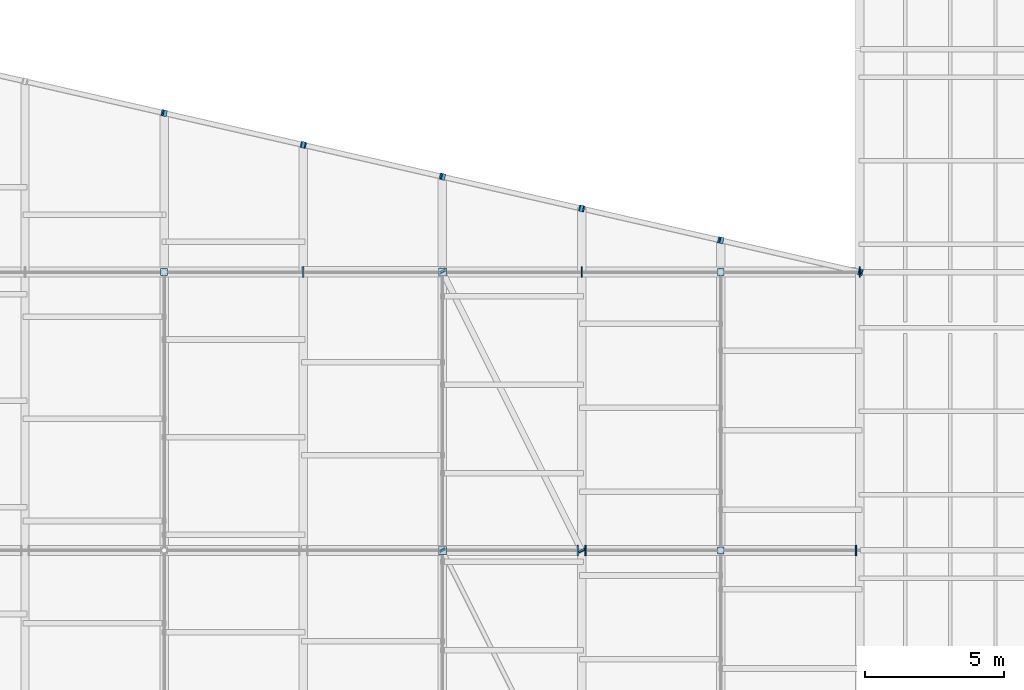
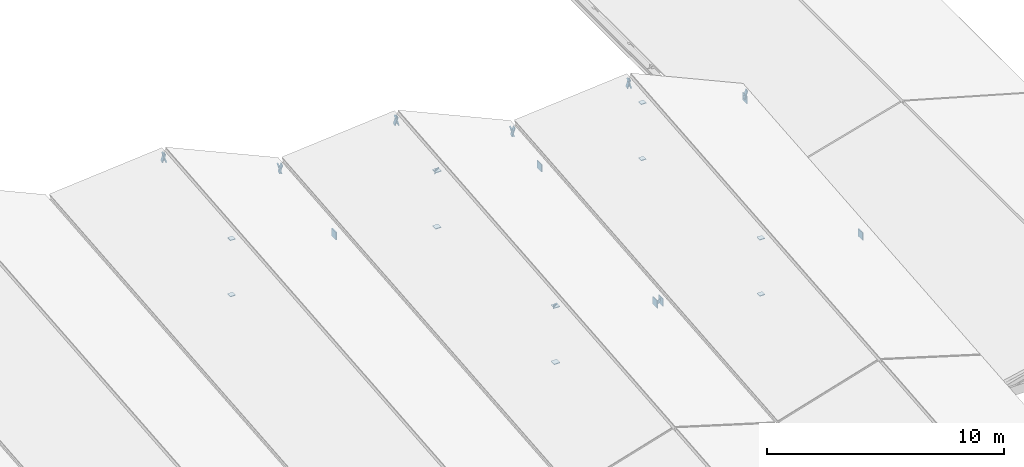
# One storey, part 86 of 90: 30 plates.
"""IFC4 building model written with IfcOpenShell, lengths in metres."""

from ifc_helpers import new_model, si_unit, direction, frame, origin, origin_2d, place, context, subcontext, project, spatial, rectangle, extrude, material, layer, layer_set, type_object, element, save


model = new_model("IFC4")

# Units and contexts
model_context = context("Model", 3, precision=1e-05, world=origin(), true_north=direction((0.0, 1.0)))
body_context = subcontext(model_context, "Body", "Model", "MODEL_VIEW")
ifc_project = project(units=[si_unit("LENGTHUNIT", "METRE"), si_unit("AREAUNIT", "SQUARE_METRE"), si_unit("VOLUMEUNIT", "CUBIC_METRE"), si_unit("PLANEANGLEUNIT", "RADIAN"), si_unit("MASSUNIT", "GRAM", prefix="KILO"), si_unit("THERMODYNAMICTEMPERATUREUNIT", "KELVIN"), si_unit("POWERUNIT", "WATT")], contexts=[model_context])

# Site, building, storey
site_placement = place(None, origin())
site = spatial("IfcSite", under=ifc_project, at=site_placement, CompositionType="ELEMENT")
building_placement = place(site_placement, origin())
building = spatial("IfcBuilding", under=site, at=building_placement, Name="Korenveer Ferry Terminal", CompositionType="ELEMENT")
storey_placement = place(building_placement, frame((0.0, 0.0, 22.199951171875)))
storey = spatial("IfcBuildingStorey", under=building, at=storey_placement, Name="RF", CompositionType="ELEMENT", Elevation=22.199951171875)

# Plates
ifc_material = material(Name="Steel S355", Category="steel")
ifc_layer_1 = layer(ifc_material, 0.031982421875)
ifc_layer_set_1 = layer_set([ifc_layer_1], Name="Steel S355")
plate_type_1 = type_object("IfcPlateType", Name="STR-PLT-CAP32", PredefinedType="USERDEFINED", material=ifc_layer_set_1)
for number, where, z_axis, x_axis, name in (
    (1, (108.0, 90.0, -6.427734375), (0.0, 0.0, 1.0), (1.0, 0.0, 0.0), "Hollow section end cap 434"),
    (2, (108.0, 90.0, -3.5361328125), (0.0, 0.0, 1.0), (1.0, 0.0, 0.0), "Hollow section end cap 435"),
):
    element("IfcPlate", number, at=place(storey_placement, frame(where, z_axis=z_axis, x_axis=x_axis)), inside=storey, type_object=plate_type_1, Name=name, ObjectType="END CAP PLATE", PredefinedType="USERDEFINED", context=body_context, shape_type="SweptSolid", body=[
        extrude(rectangle(XDim=0.280029296875, YDim=0.280029296875, at=origin_2d()), origin(), (0.0, 0.0, 1.0), 0.031982421875),
    ])
for number, where, z_axis, x_axis, name in (
    (3, (118.0, 90.0, -6.427734375), (0.0, 0.0, 1.0), (1.0, 0.0, 0.0), "Hollow section end cap 438"),
    (4, (118.0, 90.0, -3.5361328125), (0.0, 0.0, 1.0), (1.0, 0.0, 0.0), "Hollow section end cap 439"),
    (5, (98.0, 100.0, -5.51953125), (0.0, 0.0, 1.0), (1.0, 0.0, 0.0), "Hollow section end cap 454"),
    (6, (98.0, 100.0, -2.6279296875), (0.0, 0.0, 1.0), (1.0, 0.0, 0.0), "Hollow section end cap 455"),
):
    element("IfcPlate", number, at=place(storey_placement, frame(where, z_axis=z_axis, x_axis=x_axis)), inside=storey, type_object=plate_type_1, Name=name, ObjectType="END CAP PLATE", PredefinedType="USERDEFINED", context=body_context, shape_type="SweptSolid", body=[
        extrude(rectangle(XDim=0.2490234375, YDim=0.2490234375, at=origin_2d()), origin(), (0.0, 0.0, 1.0), 0.031982421875),
    ])
for number, where, z_axis, x_axis, name in (
    (7, (108.0, 100.0, -5.51953125), (0.0, 0.0, 1.0), (1.0, 0.0, 0.0), "Hollow section end cap 457"),
    (8, (108.0, 100.0, -2.6279296875), (0.0, 0.0, 1.0), (1.0, 0.0, 0.0), "Hollow section end cap 458"),
):
    element("IfcPlate", number, at=place(storey_placement, frame(where, z_axis=z_axis, x_axis=x_axis)), inside=storey, type_object=plate_type_1, Name=name, ObjectType="END CAP PLATE", PredefinedType="USERDEFINED", context=body_context, shape_type="SweptSolid", body=[
        extrude(rectangle(XDim=0.280029296875, YDim=0.280029296875, at=origin_2d()), origin(), (0.0, 0.0, 1.0), 0.031982421875),
    ])
for number, where, z_axis, x_axis, name in (
    (9, (118.0, 100.0, -5.51953125), (0.0, 0.0, 1.0), (1.0, 0.0, 0.0), "Hollow section end cap 460"),
    (10, (118.0, 100.0, -2.6279296875), (0.0, 0.0, 1.0), (1.0, 0.0, 0.0), "Hollow section end cap 461"),
):
    element("IfcPlate", number, at=place(storey_placement, frame(where, z_axis=z_axis, x_axis=x_axis)), inside=storey, type_object=plate_type_1, Name=name, ObjectType="END CAP PLATE", PredefinedType="USERDEFINED", context=body_context, shape_type="SweptSolid", body=[
        extrude(rectangle(XDim=0.2490234375, YDim=0.2490234375, at=origin_2d()), origin(), (0.0, 0.0, 1.0), 0.031982421875),
    ])
plate_placement = place(storey_placement, frame((108.0, 90.0, -3.5361328125), z_axis=(-0.437110268059, 0.874220536117, 0.211360043028), x_axis=(-0.894427191, -0.4472135955, 0.0)))
element("IfcPlate", 11, at=plate_placement, inside=storey, type_object=plate_type_1, Name="Hollow section end cap 591", ObjectType="END CAP PLATE", PredefinedType="USERDEFINED", context=body_context, shape_type="SweptSolid", body=[
    extrude(rectangle(XDim=0.1982421875, YDim=0.1982421875, at=origin_2d()), origin(), (0.0, 0.0, 1.0), 0.031982421875),
])
for number, where, z_axis, x_axis, name in (
    (12, (113.01416015625, 89.97216796875, -5.052490234375), (-0.437110268059, 0.874220536117, 0.211360043028), (-0.894427191, -0.4472135955, 0.0), "Hollow section end cap 592"),
    (13, (108.0, 100.0, -2.6279296875), (-0.437110268059, 0.874220536117, 0.211360043028), (-0.894427191, -0.4472135955, 0.0), "Hollow section end cap 593"),
):
    element("IfcPlate", number, at=place(storey_placement, frame(where, z_axis=z_axis, x_axis=x_axis)), inside=storey, type_object=plate_type_1, Name=name, ObjectType="END CAP PLATE", PredefinedType="USERDEFINED", context=body_context, shape_type="SweptSolid", body=[
        extrude(rectangle(XDim=0.2490234375, YDim=0.2490234375, at=origin_2d()), origin(), (0.0, 0.0, 1.0), 0.031982421875),
    ])
ifc_layer_2 = layer(ifc_material, 0.0419921875)
ifc_layer_set_2 = layer_set([ifc_layer_2], Name="Steel S355")
plate_type_2 = type_object("IfcPlateType", Name="STR-PLT-CAP42", PredefinedType="USERDEFINED", material=ifc_layer_set_2)
for number, where, z_axis, x_axis, name in (
    (14, (98.0, 105.714111328125, -1.9091796875), (0.94017541962, -0.214897238913, 0.264365952893), (0.222824801643, 0.97485850654, 0.0), "Hollow section end cap 257"),
    (15, (97.9609375, 105.72314453125, -1.896484375), (0.929929821832, -0.212555387962, -0.300084543946), (0.222824801616, 0.974858506546, 0.0), "Hollow section end cap 258"),
    (16, (103.0, 104.5712890625, -3.5224609375), (0.929929821832, -0.212555387962, -0.300084543946), (0.222824801616, 0.974858506546, 0.0), "Hollow section end cap 259"),
    (17, (102.96044921875, 104.580322265625, -3.53369140625), (0.94017541962, -0.214897238913, 0.264365952893), (0.222824801643, 0.97485850654, 0.0), "Hollow section end cap 260"),
    (18, (108.0, 103.428466796875, -2.11669921875), (0.94017541962, -0.214897238913, 0.264365952893), (0.222824801643, 0.97485850654, 0.0), "Hollow section end cap 261"),
    (19, (107.9609375, 103.4375, -2.10400390625), (0.929929821832, -0.212555387962, -0.300084543946), (0.222824801616, 0.974858506546, 0.0), "Hollow section end cap 262"),
    (20, (113.0, 102.28564453125, -3.730224609375), (0.929929821832, -0.212555387962, -0.300084543946), (0.222824801616, 0.974858506546, 0.0), "Hollow section end cap 263"),
    (21, (112.96044921875, 102.294677734375, -3.7412109375), (0.94017541962, -0.214897238913, 0.264365952893), (0.222824801643, 0.97485850654, 0.0), "Hollow section end cap 264"),
    (22, (118.0, 101.142822265625, -2.32421875), (0.94017541962, -0.214897238913, 0.264365952893), (0.222824801643, 0.97485850654, 0.0), "Hollow section end cap 265"),
    (23, (117.9609375, 101.151611328125, -2.3115234375), (0.929929821832, -0.212555387962, -0.300084543946), (0.222824801616, 0.974858506546, 0.0), "Hollow section end cap 266"),
    (24, (123.0, 100.0, -3.937744140625), (0.929929821832, -0.212555387962, -0.300084543946), (0.222824801616, 0.974858506546, 0.0), "Hollow section end cap 267"),
):
    element("IfcPlate", number, at=place(storey_placement, frame(where, z_axis=z_axis, x_axis=x_axis)), inside=storey, type_object=plate_type_2, Name=name, ObjectType="END CAP PLATE", PredefinedType="USERDEFINED", context=body_context, shape_type="SweptSolid", body=[
        extrude(rectangle(XDim=0.22998046875, YDim=0.429931640625, at=origin_2d()), origin(), (0.0, 0.0, 1.0), 0.0419921875),
    ])
for number, where, z_axis, x_axis, name in (
    (25, (112.840087890625, 90.0, -5.045654296875), (1.0, 0.0, 0.0), (0.0, 1.0, 0.0), "Hollow section end cap 433"),
    (26, (113.117919921875, 90.0, -5.045654296875), (1.0, 0.0, 0.0), (0.0, 1.0, 0.0), "Hollow section end cap 436"),
    (27, (122.840087890625, 90.0, -5.045654296875), (1.0, 0.0, 0.0), (0.0, 1.0, 0.0), "Hollow section end cap 437"),
    (28, (102.97998046875, 100.0, -4.1376953125), (1.0, 0.0, 0.0), (0.0, 1.0, 0.0), "Hollow section end cap 453"),
    (29, (112.97998046875, 100.0, -4.1376953125), (1.0, 0.0, 0.0), (0.0, 1.0, 0.0), "Hollow section end cap 456"),
    (30, (122.97998046875, 100.0, -4.1376953125), (1.0, 0.0, 0.0), (0.0, 1.0, 0.0), "Hollow section end cap 459"),
):
    element("IfcPlate", number, at=place(storey_placement, frame(where, z_axis=z_axis, x_axis=x_axis)), inside=storey, type_object=plate_type_2, Name=name, ObjectType="END CAP PLATE", PredefinedType="USERDEFINED", context=body_context, shape_type="SweptSolid", body=[
        extrude(rectangle(XDim=0.385498046875, YDim=0.385498046875, at=origin_2d()), origin(), (0.0, 0.0, 1.0), 0.0419921875),
    ])

save(model, "model.ifc")
